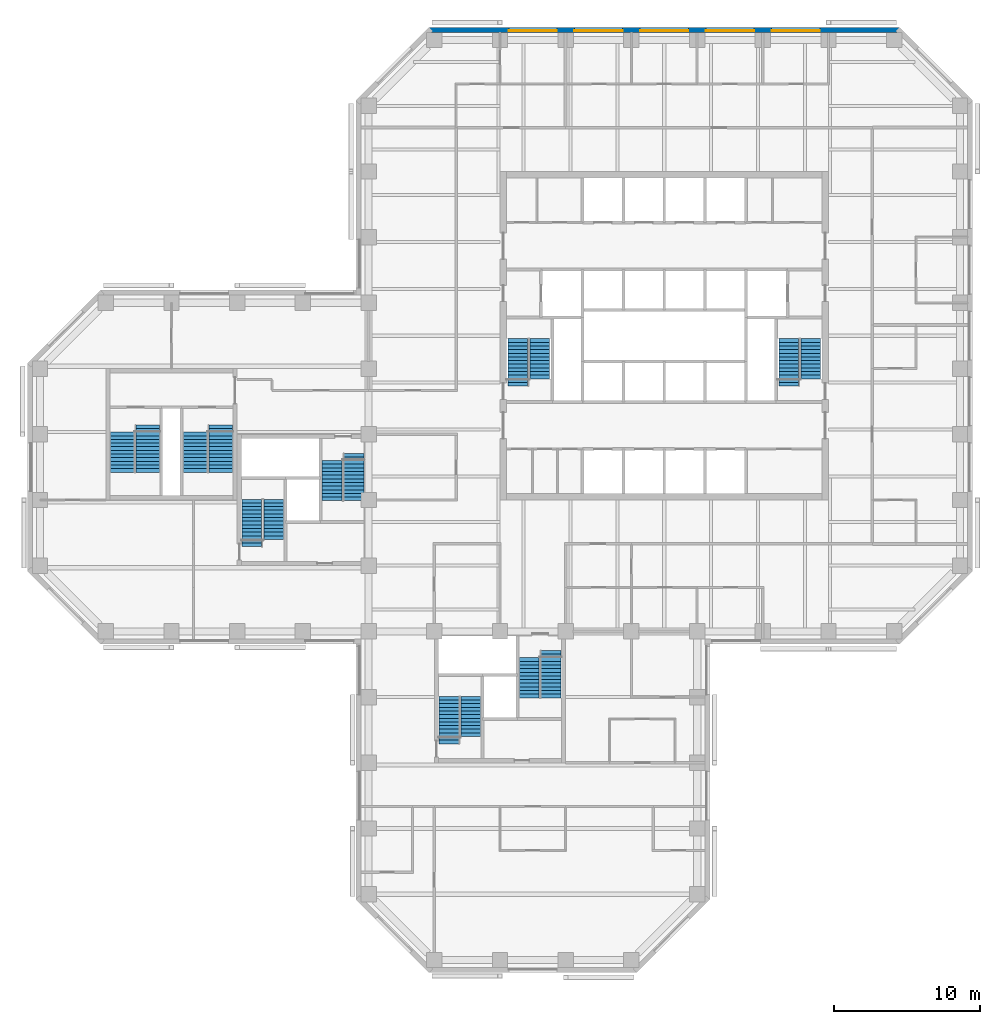
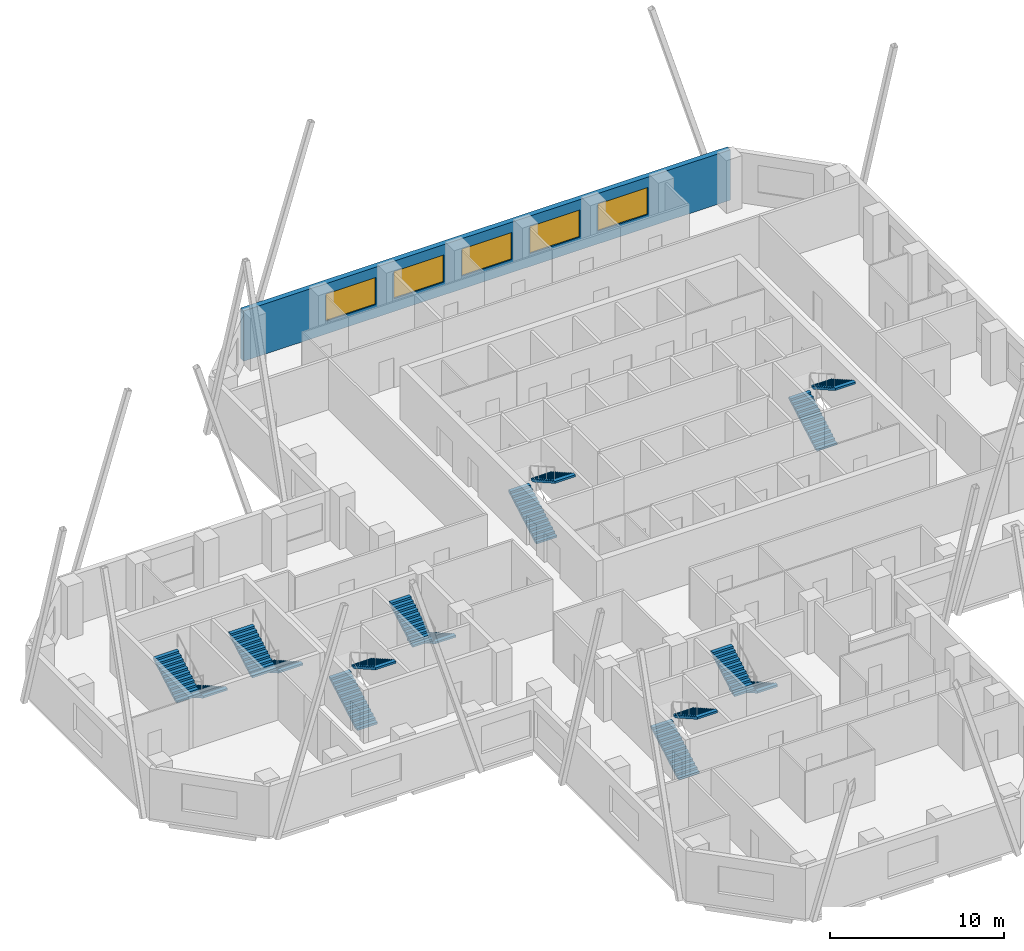
# One storey, part 9 of 10: 16 stair flights, 5 windows, 1 wall, 5 openings, 8 elements without a shape of their own.
"""IFC4 building model written with IfcOpenShell, lengths in metres."""

import ifcopenshell
import ifcopenshell.guid

model = None  # the IFC model being written
_history = None  # IfcOwnerHistory: only IFC2X3 demands one
_inside = {}  # id of a spatial element -> (the spatial element, [elements in it])
_under = {}  # id of a project, library or spatial element -> (it, [spatial elements below it])
_declared = {}  # id of a project -> (the project, [libraries it declares])
_typed = {}  # id of a type object -> (the type object, [elements of that type])
_made_of = {}  # id of a material, layer set ... -> (it, [elements and type objects made of it])


def new_model(schema):
    """Start an empty IFC model of exactly this schema.

    Asked for "IFC4X3", IfcOpenShell would pick the latest addendum, in which some entities
    have other attributes; the version numbers below select the first issue.
    IFC2X3 requires an IfcOwnerHistory on every rooted entity: one is made here for all.
    """
    global model, _history
    if schema == "IFC4X3":
        model = ifcopenshell.file(schema_version=(4, 3, 0, 0))
    else:
        model = ifcopenshell.file(schema=schema)
    _inside.clear()
    _under.clear()
    _declared.clear()
    _typed.clear()
    _made_of.clear()
    _history = None
    if model.schema == "IFC2X3":
        org = make("IfcOrganization", Name="unknown")
        user = make(
            "IfcPersonAndOrganization",
            ThePerson=make("IfcPerson", FamilyName="unknown"),
            TheOrganization=org,
        )
        app = make(
            "IfcApplication",
            ApplicationDeveloper=org,
            Version="unknown",
            ApplicationFullName="unknown",
            ApplicationIdentifier="unknown",
        )
        _history = make(
            "IfcOwnerHistory",
            OwningUser=user,
            OwningApplication=app,
            ChangeAction="ADDED",
            CreationDate=0,
        )
    return model


def make(cls, **values):
    """One entity of the class cls with the attributes given. An attribute that is None is left unset."""
    return model.create_entity(
        cls, **{name: value for name, value in values.items() if value is not None}
    )


def rooted(cls, **values):
    """An entity with a GlobalId (a new one), such as an element, a storey or a relation."""
    return make(cls, GlobalId=ifcopenshell.guid.new(), OwnerHistory=_history, **values)


def si_unit(unit_type, name, prefix=None):
    """IfcSIUnit, for example si_unit("LENGTHUNIT", "METRE", prefix="MILLI")."""
    return make("IfcSIUnit", UnitType=unit_type, Prefix=prefix, Name=name)


def assignment(units):
    """IfcUnitAssignment: the units of a project."""
    return None if units is None else make("IfcUnitAssignment", Units=units)


def point(xyz):
    """IfcCartesianPoint."""
    return None if xyz is None else make("IfcCartesianPoint", Coordinates=xyz)


def direction(xyz):
    """IfcDirection."""
    return None if xyz is None else make("IfcDirection", DirectionRatios=xyz)


def frame(location, z_axis=None, x_axis=None):
    """IfcAxis2Placement3D, a coordinate frame: its origin and axes. An axis left out is left unset."""
    return make(
        "IfcAxis2Placement3D",
        Location=point(location),
        Axis=direction(z_axis),
        RefDirection=direction(x_axis),
    )


def frame_2d(location, x_axis=None):
    """IfcAxis2Placement2D, a coordinate frame in the plane: its origin and x axis."""
    return make(
        "IfcAxis2Placement2D", Location=point(location), RefDirection=direction(x_axis)
    )


def origin():
    """The frame at (0, 0, 0) with its axes left unset."""
    return frame((0.0, 0.0, 0.0))


def place(relative_to, where):
    """IfcLocalPlacement: puts the frame where relative to a parent placement (None: the world)."""
    return make(
        "IfcLocalPlacement", PlacementRelTo=relative_to, RelativePlacement=where
    )


def context(
    kind, dimensions, precision=None, world=None, true_north=None, identifier=None
):
    """IfcGeometricRepresentationContext, for example the 3D "Model" context."""
    return make(
        "IfcGeometricRepresentationContext",
        ContextIdentifier=identifier,
        ContextType=kind,
        CoordinateSpaceDimension=dimensions,
        Precision=precision,
        WorldCoordinateSystem=world,
        TrueNorth=true_north,
    )


def subcontext(parent, identifier, kind, view, scale=None):
    """IfcGeometricRepresentationSubContext, for example "Body" below "Model"."""
    return make(
        "IfcGeometricRepresentationSubContext",
        ContextIdentifier=identifier,
        ContextType=kind,
        ParentContext=parent,
        TargetScale=scale,
        TargetView=view,
    )


def project(units=None, contexts=None):
    """IfcProject with its units and contexts."""
    return rooted(
        "IfcProject",
        Name="project",
        RepresentationContexts=contexts,
        UnitsInContext=assignment(units),
    )


def spatial(cls, under=None, at=None, **own):
    """A site, building, storey or space (cls), placed at a placement, below another one or the project."""
    s = rooted(cls, ObjectPlacement=at, **own)
    if under is not None:
        _under.setdefault(under.id(), (under, []))[1].append(s)
    return s


def polyline(points):
    """IfcPolyline through the points."""
    return make("IfcPolyline", Points=[point(p) for p in points])


def profile(cls, at=None, kind="AREA", **sizes):
    """A parametric profile (cls). Its sizes go by their IFC names, for example OverallWidth=200.0."""
    return make(cls, ProfileType=kind, Position=at, **sizes)


def rectangle(**sizes):
    """IfcRectangleProfileDef."""
    return profile("IfcRectangleProfileDef", **sizes)


def outline(outer, holes=None, kind="AREA"):
    """IfcArbitraryClosedProfileDef: a profile drawn as a closed curve; with holes, ...WithVoids."""
    if holes is None:
        return make("IfcArbitraryClosedProfileDef", ProfileType=kind, OuterCurve=outer)
    return make(
        "IfcArbitraryProfileDefWithVoids",
        ProfileType=kind,
        OuterCurve=outer,
        InnerCurves=holes,
    )


def extrude(swept, where, along, depth):
    """IfcExtrudedAreaSolid: the profile swept, set in the frame where, extruded along a direction by depth."""
    return make(
        "IfcExtrudedAreaSolid",
        SweptArea=swept,
        Position=where,
        ExtrudedDirection=direction(along),
        Depth=depth,
    )


def shape(context_of_items, identifier, shape_type, items):
    """IfcShapeRepresentation: the items that make up one representation, for example the "Body"."""
    return make(
        "IfcShapeRepresentation",
        ContextOfItems=context_of_items,
        RepresentationIdentifier=identifier,
        RepresentationType=shape_type,
        Items=items,
    )


def material(Name=None, Category=None):
    """IfcMaterial."""
    return make("IfcMaterial", Name=Name, Category=Category)


def layer(
    of_material, thickness, ventilated=None, Name=None, Category=None, Priority=None
):
    """IfcMaterialLayer: one layer of a wall or slab, of a material (None: an air gap)."""
    return make(
        "IfcMaterialLayer",
        Material=of_material,
        LayerThickness=thickness,
        IsVentilated=ventilated,
        Name=Name,
        Category=Category,
        Priority=Priority,
    )


def layer_set(layers, Name=None):
    """IfcMaterialLayerSet."""
    return make("IfcMaterialLayerSet", MaterialLayers=layers, LayerSetName=Name)


def constituent(of_material, Name=None, Category=None, fraction=None):
    """IfcMaterialConstituent: one of the materials an element consists of."""
    return make(
        "IfcMaterialConstituent",
        Name=Name,
        Material=of_material,
        Fraction=fraction,
        Category=Category,
    )


def constituent_set(constituents=None, Name=None):
    """IfcMaterialConstituentSet."""
    return make(
        "IfcMaterialConstituentSet", Name=Name, MaterialConstituents=constituents
    )


def made_of(thing, what):
    """Note that an element or type object is made of a material, layer set ...; save() writes the relation."""
    if what is not None:
        _made_of.setdefault(what.id(), (what, []))[1].append(thing)
    return thing


def type_object(cls, material=None, **own):
    """A type object (cls), such as IfcWallType, which elements share."""
    return made_of(rooted(cls, **own), material)


def element(
    cls,
    number,
    at=None,
    inside=None,
    cuts=None,
    type_object=None,
    material=None,
    context=None,
    identifier="Body",
    shape_type=None,
    held_by="IfcProductDefinitionShape",
    body=None,
    shapes=None,
    **own,
):
    """One element of the class cls, such as IfcWall. Its Tag is "e" and its number.

    at: its placement. inside: the storey or other place that contains it. cuts: it is an
    opening in that element (IfcRelVoidsElement). A single representation is given by context,
    identifier, shape_type and body (its items); several are given by shapes. held_by: the class
    of the entity that holds the representations. save() writes the other relations.
    """
    e = rooted(cls, Tag="e%d" % number, ObjectPlacement=at, **own)
    if body is not None:
        shapes = [shape(context, identifier, shape_type, body)]
    if shapes is not None:
        e.Representation = make(held_by, Representations=shapes)
    if inside is not None:
        _inside.setdefault(inside.id(), (inside, []))[1].append(e)
    if cuts is not None:
        rooted(
            "IfcRelVoidsElement", RelatingBuildingElement=cuts, RelatedOpeningElement=e
        )
    if type_object is not None:
        _typed.setdefault(type_object.id(), (type_object, []))[1].append(e)
    return made_of(e, material)


def fill(opening, filler):
    """IfcRelFillsElement: the door or window that sits in an opening."""
    return rooted(
        "IfcRelFillsElement",
        RelatingOpeningElement=opening,
        RelatedBuildingElement=filler,
    )


def aggregate(whole, parts):
    """IfcRelAggregates: a whole, such as a stair, and the parts it consists of."""
    return rooted("IfcRelAggregates", RelatingObject=whole, RelatedObjects=parts)


def save(model, path):
    """Write the relations noted so far, then the file.

    IfcRelAggregates (storeys below a building ...), IfcRelContainedInSpatialStructure (elements
    in a storey), IfcRelDefinesByType, IfcRelAssociatesMaterial and IfcRelDeclares: one each for
    every whole, place, type object, material and project.
    """
    for whole, parts in _under.values():
        aggregate(whole, parts)
    for where, things in _inside.values():
        rooted(
            "IfcRelContainedInSpatialStructure",
            RelatedElements=things,
            RelatingStructure=where,
        )
    for kind, things in _typed.values():
        rooted("IfcRelDefinesByType", RelatedObjects=things, RelatingType=kind)
    for what, things in _made_of.values():
        rooted("IfcRelAssociatesMaterial", RelatedObjects=things, RelatingMaterial=what)
    for by, libraries in _declared.values():
        rooted("IfcRelDeclares", RelatingContext=by, RelatedDefinitions=libraries)
    model.write(path)


model = new_model("IFC4")

# Units and contexts
model_context = context("Model", 3, precision=1e-05, world=origin(), true_north=direction((0.0, 1.0)))
body_context = subcontext(model_context, "Body", "Model", "MODEL_VIEW")
ifc_project = project(units=[si_unit("LENGTHUNIT", "METRE"), si_unit("AREAUNIT", "SQUARE_METRE"), si_unit("VOLUMEUNIT", "CUBIC_METRE"), si_unit("PLANEANGLEUNIT", "RADIAN"), si_unit("MASSUNIT", "GRAM", prefix="KILO")], contexts=[model_context])

# Site, building, storey
site_placement = place(None, origin())
site = spatial("IfcSite", under=ifc_project, at=site_placement, CompositionType="ELEMENT")
building_placement = place(site_placement, origin())
building = spatial("IfcBuilding", under=site, at=building_placement, Name="Quoin Convention Tower", CompositionType="ELEMENT")
storey_placement = place(building_placement, frame((0.0, 0.0, 97.39990234375)))
storey = spatial("IfcBuildingStorey", under=building, at=storey_placement, Name="L25", CompositionType="ELEMENT", Elevation=97.39990234375)

# Wall, openings, windows
ifc_material_1 = material(Name="Brick masonry", Category="masonry")
ifc_layer = layer(ifc_material_1, 0.35009765625)
ifc_layer_set = layer_set([ifc_layer], Name="Brick masonry")
wall_type = type_object("IfcWallType", Name="Brick facade wall", PredefinedType="STANDARD", material=ifc_layer_set)
wall_placement = place(storey_placement, frame((72.3623046875, 81.699951171875, 0.0), z_axis=(0.0, 0.0, 1.0), x_axis=(-1.0, 0.0, 0.0)))
wall = element("IfcWall", 1, at=wall_placement, inside=storey, type_object=wall_type, Name="fw-L25-72000_81000", PredefinedType="STANDARD", context=body_context, shape_type="SweptSolid", body=[
    extrude(rectangle(XDim=32.224609375, YDim=0.35009765625, at=frame_2d((16.1123046875, 0.0))), origin(), (0.0, 0.0, 1.0), 3.525146484375),
])
opening_1_placement = place(wall_placement, frame((5.46240234375, 0.0, 0.89990234375)))
opening_1 = element("IfcOpeningElement", 2, at=opening_1_placement, cuts=wall, Name="Opening W-02", PredefinedType="OPENING", context=body_context, shape_type="SweptSolid", body=[
    extrude(rectangle(XDim=3.300048828125, YDim=1.89990234375, at=frame_2d((1.64990234375, 0.949951171875))), frame((0.0, 0.18505859375, 0.0), z_axis=(0.0, -1.0, 0.0), x_axis=(1.0, 0.0, 0.0)), (0.0, 0.0, 1.0), 0.3701171875),
])
opening_2_placement = place(wall_placement, frame((9.96240234375, 0.0, 0.89990234375)))
opening_2 = element("IfcOpeningElement", 3, at=opening_2_placement, cuts=wall, Name="Opening W-02", PredefinedType="OPENING", context=body_context, shape_type="SweptSolid", body=[
    extrude(rectangle(XDim=3.300048828125, YDim=1.89990234375, at=frame_2d((1.64990234375, 0.949951171875))), frame((0.0, 0.18505859375, 0.0), z_axis=(0.0, -1.0, 0.0), x_axis=(1.0, 0.0, 0.0)), (0.0, 0.0, 1.0), 0.3701171875),
])
opening_3_placement = place(wall_placement, frame((14.46240234375, 0.0, 0.89990234375)))
opening_3 = element("IfcOpeningElement", 4, at=opening_3_placement, cuts=wall, Name="Opening W-02", PredefinedType="OPENING", context=body_context, shape_type="SweptSolid", body=[
    extrude(rectangle(XDim=3.300048828125, YDim=1.89990234375, at=frame_2d((1.64990234375, 0.949951171875))), frame((0.0, 0.18505859375, 0.0), z_axis=(0.0, -1.0, 0.0), x_axis=(1.0, 0.0, 0.0)), (0.0, 0.0, 1.0), 0.3701171875),
])
opening_4_placement = place(wall_placement, frame((18.96240234375, 0.0, 0.89990234375)))
opening_4 = element("IfcOpeningElement", 5, at=opening_4_placement, cuts=wall, Name="Opening W-02", PredefinedType="OPENING", context=body_context, shape_type="SweptSolid", body=[
    extrude(rectangle(XDim=3.300048828125, YDim=1.89990234375, at=frame_2d((1.64990234375, 0.949951171875))), frame((0.0, 0.18505859375, 0.0), z_axis=(0.0, -1.0, 0.0), x_axis=(1.0, 0.0, 0.0)), (0.0, 0.0, 1.0), 0.3701171875),
])
opening_5_placement = place(wall_placement, frame((23.46240234375, 0.0, 0.89990234375)))
opening_5 = element("IfcOpeningElement", 6, at=opening_5_placement, cuts=wall, Name="Opening W-02", PredefinedType="OPENING", context=body_context, shape_type="SweptSolid", body=[
    extrude(rectangle(XDim=3.300048828125, YDim=1.89990234375, at=frame_2d((1.64990234375, 0.949951171875))), frame((0.0, 0.18505859375, 0.0), z_axis=(0.0, -1.0, 0.0), x_axis=(1.0, 0.0, 0.0)), (0.0, 0.0, 1.0), 0.3701171875),
])
ifc_material_2 = material(Name="Aluminium", Category="aluminium")
ifc_constituent_1 = constituent(ifc_material_2, Name="Frame")
ifc_material_3 = material(Name="Insulated glass", Category="glass")
ifc_constituent_2 = constituent(ifc_material_3, Name="Glazing")
ifc_constituent_set = constituent_set(constituents=[ifc_constituent_1, ifc_constituent_2], Name="Aluminium")
window_type = type_object("IfcWindowType", Name="Office window", PartitioningType="DOUBLE_PANEL_VERTICAL", PredefinedType="WINDOW", material=ifc_constituent_set)
window_1_placement = place(opening_1_placement, origin())
window_1 = element("IfcWindow", 7, at=window_1_placement, inside=storey, type_object=window_type, Name="win-L25-65250_81700", OverallHeight=1.89990234375, OverallWidth=3.300048828125, PartitioningType="SINGLE_PANEL", PredefinedType="WINDOW", context=body_context, shape_type="SweptSolid", body=[
    extrude(rectangle(XDim=3.300048828125, YDim=1.89990234375, at=frame_2d((1.64990234375, 0.949951171875))), frame((0.0, 0.0849609375, 0.0), z_axis=(0.0, -1.0, 0.0), x_axis=(1.0, 0.0, 0.0)), (0.0, 0.0, 1.0), 0.06005859375),
])
fill(opening_1, window_1)
window_2_placement = place(opening_2_placement, origin())
window_2 = element("IfcWindow", 8, at=window_2_placement, inside=storey, type_object=window_type, Name="win-L25-60750_81700", OverallHeight=1.89990234375, OverallWidth=3.300048828125, PartitioningType="SINGLE_PANEL", PredefinedType="WINDOW", context=body_context, shape_type="SweptSolid", body=[
    extrude(rectangle(XDim=3.300048828125, YDim=1.89990234375, at=frame_2d((1.64990234375, 0.949951171875))), frame((0.0, 0.0849609375, 0.0), z_axis=(0.0, -1.0, 0.0), x_axis=(1.0, 0.0, 0.0)), (0.0, 0.0, 1.0), 0.06005859375),
])
fill(opening_2, window_2)
window_3_placement = place(opening_3_placement, origin())
window_3 = element("IfcWindow", 9, at=window_3_placement, inside=storey, type_object=window_type, Name="win-L25-56250_81700", OverallHeight=1.89990234375, OverallWidth=3.300048828125, PartitioningType="SINGLE_PANEL", PredefinedType="WINDOW", context=body_context, shape_type="SweptSolid", body=[
    extrude(rectangle(XDim=3.300048828125, YDim=1.89990234375, at=frame_2d((1.64990234375, 0.949951171875))), frame((0.0, 0.0849609375, 0.0), z_axis=(0.0, -1.0, 0.0), x_axis=(1.0, 0.0, 0.0)), (0.0, 0.0, 1.0), 0.06005859375),
])
fill(opening_3, window_3)
window_4_placement = place(opening_4_placement, origin())
window_4 = element("IfcWindow", 10, at=window_4_placement, inside=storey, type_object=window_type, Name="win-L25-51750_81700", OverallHeight=1.89990234375, OverallWidth=3.300048828125, PartitioningType="SINGLE_PANEL", PredefinedType="WINDOW", context=body_context, shape_type="SweptSolid", body=[
    extrude(rectangle(XDim=3.300048828125, YDim=1.89990234375, at=frame_2d((1.64990234375, 0.949951171875))), frame((0.0, 0.0849609375, 0.0), z_axis=(0.0, -1.0, 0.0), x_axis=(1.0, 0.0, 0.0)), (0.0, 0.0, 1.0), 0.06005859375),
])
fill(opening_4, window_4)
window_5_placement = place(opening_5_placement, origin())
window_5 = element("IfcWindow", 11, at=window_5_placement, inside=storey, type_object=window_type, Name="win-L25-47250_81700", OverallHeight=1.89990234375, OverallWidth=3.300048828125, PartitioningType="SINGLE_PANEL", PredefinedType="WINDOW", context=body_context, shape_type="SweptSolid", body=[
    extrude(rectangle(XDim=3.300048828125, YDim=1.89990234375, at=frame_2d((1.64990234375, 0.949951171875))), frame((0.0, 0.0849609375, 0.0), z_axis=(0.0, -1.0, 0.0), x_axis=(1.0, 0.0, 0.0)), (0.0, 0.0, 1.0), 0.06005859375),
])
fill(opening_5, window_5)

# Stair, stair flights
ifc_material_4 = material(Name="Concrete C40", Category="concrete")
stair_type_1 = type_object("IfcStairType", Name="Exit stair two-flight 1350", PredefinedType="HALF_TURN_STAIR", material=ifc_material_4)
stair_1_placement = place(storey_placement, origin())
stair_1 = element("IfcStair", 12, at=stair_1_placement, inside=storey, type_object=stair_type_1, Name="SD1 L25", PredefinedType="HALF_TURN_STAIR")
stair_flight_type_1 = type_object("IfcStairFlightType", Name="Stair flight 1350", PredefinedType="STRAIGHT", material=ifc_material_4)
stair_flight_1_placement = place(storey_placement, frame((46.22509765625, 57.300048828125, 0.0), z_axis=(0.0, 0.0, 1.0), x_axis=(0.0, 1.0, 0.0)))
stair_flight_1 = element("IfcStairFlight", 13, at=stair_flight_1_placement, type_object=stair_flight_type_1, Name="ST1 flight 1", NumberOfRisers=14, NumberOfTreads=13, PredefinedType="STRAIGHT", RiserHeight=0.142307692, TreadLength=0.25, context=body_context, shape_type="SweptSolid", body=[
    extrude(outline(polyline([(0.0, 0.0), (0.0, 0.142333984375), (0.25, 0.142333984375), (0.25, 0.28466796875), (0.5, 0.28466796875), (0.5, 0.427001953125), (0.75, 0.427001953125), (0.75, 0.5693359375), (1.0, 0.5693359375), (1.0, 0.71142578125), (1.25, 0.71142578125), (1.25, 0.853759765625), (1.5, 0.853759765625), (1.5, 0.99609375), (1.75, 0.99609375), (1.75, 1.138427734375), (2.0, 1.138427734375), (2.0, 1.28076171875), (2.25, 1.28076171875), (2.25, 1.423095703125), (2.5, 1.423095703125), (2.5, 1.5654296875), (2.75, 1.5654296875), (2.75, 1.707763671875), (3.0, 1.707763671875), (3.0, 1.85009765625), (3.25, 1.85009765625), (3.25, 1.9921875), (3.25, 1.711669921875), (0.242919921875, 0.0), (0.0, 0.0)])), frame((0.0, 0.675048828125, 0.0), z_axis=(0.0, -1.0, 0.0), x_axis=(1.0, 0.0, 0.0)), (0.0, 0.0, 1.0), 1.35009765625),
])
stair_flight_2_placement = place(storey_placement, frame((47.72509765625, 60.550048828125, 1.992431640625), z_axis=(0.0, 0.0, 1.0), x_axis=(0.0, -1.0, 0.0)))
stair_flight_2 = element("IfcStairFlight", 14, at=stair_flight_2_placement, type_object=stair_flight_type_1, Name="ST1 flight 2", NumberOfRisers=12, NumberOfTreads=11, PredefinedType="STRAIGHT", RiserHeight=0.142307692, TreadLength=0.25, context=body_context, shape_type="SweptSolid", body=[
    extrude(outline(polyline([(0.0, 0.0), (0.0, 0.142333984375), (0.25, 0.142333984375), (0.25, 0.28466796875), (0.5, 0.28466796875), (0.5, 0.427001953125), (0.75, 0.427001953125), (0.75, 0.5693359375), (1.0, 0.5693359375), (1.0, 0.71142578125), (1.25, 0.71142578125), (1.25, 0.853759765625), (1.5, 0.853759765625), (1.5, 0.99609375), (1.75, 0.99609375), (1.75, 1.138427734375), (2.0, 1.138427734375), (2.0, 1.28076171875), (2.25, 1.28076171875), (2.25, 1.423095703125), (2.5, 1.423095703125), (2.5, 1.5654296875), (2.75, 1.5654296875), (2.75, 1.707763671875), (2.75, 1.42724609375), (0.242919921875, 0.0), (0.0, 0.0)])), frame((0.0, 0.675048828125, 0.0), z_axis=(0.0, -1.0, 0.0), x_axis=(1.0, 0.0, 0.0)), (0.0, 0.0, 1.0), 1.35009765625),
])
aggregate(stair_1, [stair_flight_1, stair_flight_2])

stair_2_placement = place(storey_placement, origin())
stair_2 = element("IfcStair", 15, at=stair_2_placement, inside=storey, type_object=stair_type_1, Name="SD2 L25", PredefinedType="HALF_TURN_STAIR")
stair_flight_3_placement = place(storey_placement, frame((64.77490234375, 57.300048828125, 0.0), z_axis=(0.0, 0.0, 1.0), x_axis=(0.0, 1.0, 0.0)))
stair_flight_3 = element("IfcStairFlight", 16, at=stair_flight_3_placement, type_object=stair_flight_type_1, Name="ST2 flight 1", NumberOfRisers=14, NumberOfTreads=13, PredefinedType="STRAIGHT", RiserHeight=0.142307692, TreadLength=0.25, context=body_context, shape_type="SweptSolid", body=[
    extrude(outline(polyline([(0.0, 0.0), (0.0, 0.142333984375), (0.25, 0.142333984375), (0.25, 0.28466796875), (0.5, 0.28466796875), (0.5, 0.427001953125), (0.75, 0.427001953125), (0.75, 0.5693359375), (1.0, 0.5693359375), (1.0, 0.71142578125), (1.25, 0.71142578125), (1.25, 0.853759765625), (1.5, 0.853759765625), (1.5, 0.99609375), (1.75, 0.99609375), (1.75, 1.138427734375), (2.0, 1.138427734375), (2.0, 1.28076171875), (2.25, 1.28076171875), (2.25, 1.423095703125), (2.5, 1.423095703125), (2.5, 1.5654296875), (2.75, 1.5654296875), (2.75, 1.707763671875), (3.0, 1.707763671875), (3.0, 1.85009765625), (3.25, 1.85009765625), (3.25, 1.9921875), (3.25, 1.711669921875), (0.242919921875, 0.0), (0.0, 0.0)])), frame((0.0, 0.675048828125, 0.0), z_axis=(0.0, -1.0, 0.0), x_axis=(1.0, 0.0, 0.0)), (0.0, 0.0, 1.0), 1.35009765625),
])
stair_flight_4_placement = place(storey_placement, frame((66.27490234375, 60.550048828125, 1.992431640625), z_axis=(0.0, 0.0, 1.0), x_axis=(0.0, -1.0, 0.0)))
stair_flight_4 = element("IfcStairFlight", 17, at=stair_flight_4_placement, type_object=stair_flight_type_1, Name="ST2 flight 2", NumberOfRisers=12, NumberOfTreads=11, PredefinedType="STRAIGHT", RiserHeight=0.142307692, TreadLength=0.25, context=body_context, shape_type="SweptSolid", body=[
    extrude(outline(polyline([(0.0, 0.0), (0.0, 0.142333984375), (0.25, 0.142333984375), (0.25, 0.28466796875), (0.5, 0.28466796875), (0.5, 0.427001953125), (0.75, 0.427001953125), (0.75, 0.5693359375), (1.0, 0.5693359375), (1.0, 0.71142578125), (1.25, 0.71142578125), (1.25, 0.853759765625), (1.5, 0.853759765625), (1.5, 0.99609375), (1.75, 0.99609375), (1.75, 1.138427734375), (2.0, 1.138427734375), (2.0, 1.28076171875), (2.25, 1.28076171875), (2.25, 1.423095703125), (2.5, 1.423095703125), (2.5, 1.5654296875), (2.75, 1.5654296875), (2.75, 1.707763671875), (2.75, 1.42724609375), (0.242919921875, 0.0), (0.0, 0.0)])), frame((0.0, 0.675048828125, 0.0), z_axis=(0.0, -1.0, 0.0), x_axis=(1.0, 0.0, 0.0)), (0.0, 0.0, 1.0), 1.35009765625),
])
aggregate(stair_2, [stair_flight_3, stair_flight_4])

stair_3_placement = place(storey_placement, origin())
stair_3 = element("IfcStair", 18, at=stair_3_placement, inside=storey, type_object=stair_type_1, Name="SD3 L25", PredefinedType="HALF_TURN_STAIR")
stair_flight_5_placement = place(storey_placement, frame((28.0, 46.300048828125, 0.0), z_axis=(0.0, 0.0, 1.0), x_axis=(0.0, 1.0, 0.0)))
stair_flight_5 = element("IfcStairFlight", 19, at=stair_flight_5_placement, type_object=stair_flight_type_1, Name="ST3 flight 1", NumberOfRisers=14, NumberOfTreads=13, PredefinedType="STRAIGHT", RiserHeight=0.142307692, TreadLength=0.25, context=body_context, shape_type="SweptSolid", body=[
    extrude(outline(polyline([(0.0, 0.0), (0.0, 0.142333984375), (0.25, 0.142333984375), (0.25, 0.28466796875), (0.5, 0.28466796875), (0.5, 0.427001953125), (0.75, 0.427001953125), (0.75, 0.5693359375), (1.0, 0.5693359375), (1.0, 0.71142578125), (1.25, 0.71142578125), (1.25, 0.853759765625), (1.5, 0.853759765625), (1.5, 0.99609375), (1.75, 0.99609375), (1.75, 1.138427734375), (2.0, 1.138427734375), (2.0, 1.28076171875), (2.25, 1.28076171875), (2.25, 1.423095703125), (2.5, 1.423095703125), (2.5, 1.5654296875), (2.75, 1.5654296875), (2.75, 1.707763671875), (3.0, 1.707763671875), (3.0, 1.85009765625), (3.25, 1.85009765625), (3.25, 1.9921875), (3.25, 1.711669921875), (0.242919921875, 0.0), (0.0, 0.0)])), frame((0.0, 0.675048828125, 0.0), z_axis=(0.0, -1.0, 0.0), x_axis=(1.0, 0.0, 0.0)), (0.0, 0.0, 1.0), 1.35009765625),
])
stair_flight_6_placement = place(storey_placement, frame((29.5, 49.550048828125, 1.992431640625), z_axis=(0.0, 0.0, 1.0), x_axis=(0.0, -1.0, 0.0)))
stair_flight_6 = element("IfcStairFlight", 20, at=stair_flight_6_placement, type_object=stair_flight_type_1, Name="ST3 flight 2", NumberOfRisers=12, NumberOfTreads=11, PredefinedType="STRAIGHT", RiserHeight=0.142307692, TreadLength=0.25, context=body_context, shape_type="SweptSolid", body=[
    extrude(outline(polyline([(0.0, 0.0), (0.0, 0.142333984375), (0.25, 0.142333984375), (0.25, 0.28466796875), (0.5, 0.28466796875), (0.5, 0.427001953125), (0.75, 0.427001953125), (0.75, 0.5693359375), (1.0, 0.5693359375), (1.0, 0.71142578125), (1.25, 0.71142578125), (1.25, 0.853759765625), (1.5, 0.853759765625), (1.5, 0.99609375), (1.75, 0.99609375), (1.75, 1.138427734375), (2.0, 1.138427734375), (2.0, 1.28076171875), (2.25, 1.28076171875), (2.25, 1.423095703125), (2.5, 1.423095703125), (2.5, 1.5654296875), (2.75, 1.5654296875), (2.75, 1.707763671875), (2.75, 1.42724609375), (0.242919921875, 0.0), (0.0, 0.0)])), frame((0.0, 0.675048828125, 0.0), z_axis=(0.0, -1.0, 0.0), x_axis=(1.0, 0.0, 0.0)), (0.0, 0.0, 1.0), 1.35009765625),
])
aggregate(stair_3, [stair_flight_5, stair_flight_6])

stair_4_placement = place(storey_placement, origin())
stair_4 = element("IfcStair", 21, at=stair_4_placement, inside=storey, type_object=stair_type_1, Name="SD4 L25", PredefinedType="HALF_TURN_STAIR")
stair_flight_7_placement = place(storey_placement, frame((35.0, 52.699951171875, 0.0), z_axis=(0.0, 0.0, 1.0), x_axis=(0.0, -1.0, 0.0)))
stair_flight_7 = element("IfcStairFlight", 22, at=stair_flight_7_placement, type_object=stair_flight_type_1, Name="ST4 flight 1", NumberOfRisers=14, NumberOfTreads=13, PredefinedType="STRAIGHT", RiserHeight=0.142307692, TreadLength=0.25, context=body_context, shape_type="SweptSolid", body=[
    extrude(outline(polyline([(0.0, 0.0), (0.0, 0.142333984375), (0.25, 0.142333984375), (0.25, 0.28466796875), (0.5, 0.28466796875), (0.5, 0.427001953125), (0.75, 0.427001953125), (0.75, 0.5693359375), (1.0, 0.5693359375), (1.0, 0.71142578125), (1.25, 0.71142578125), (1.25, 0.853759765625), (1.5, 0.853759765625), (1.5, 0.99609375), (1.75, 0.99609375), (1.75, 1.138427734375), (2.0, 1.138427734375), (2.0, 1.28076171875), (2.25, 1.28076171875), (2.25, 1.423095703125), (2.5, 1.423095703125), (2.5, 1.5654296875), (2.75, 1.5654296875), (2.75, 1.707763671875), (3.0, 1.707763671875), (3.0, 1.85009765625), (3.25, 1.85009765625), (3.25, 1.9921875), (3.25, 1.711669921875), (0.242919921875, 0.0), (0.0, 0.0)])), frame((0.0, 0.675048828125, 0.0), z_axis=(0.0, -1.0, 0.0), x_axis=(1.0, 0.0, 0.0)), (0.0, 0.0, 1.0), 1.35009765625),
])
stair_flight_8_placement = place(storey_placement, frame((33.5, 49.449951171875, 1.992431640625), z_axis=(0.0, 0.0, 1.0), x_axis=(0.0, 1.0, 0.0)))
stair_flight_8 = element("IfcStairFlight", 23, at=stair_flight_8_placement, type_object=stair_flight_type_1, Name="ST4 flight 2", NumberOfRisers=12, NumberOfTreads=11, PredefinedType="STRAIGHT", RiserHeight=0.142307692, TreadLength=0.25, context=body_context, shape_type="SweptSolid", body=[
    extrude(outline(polyline([(0.0, 0.0), (0.0, 0.142333984375), (0.25, 0.142333984375), (0.25, 0.28466796875), (0.5, 0.28466796875), (0.5, 0.427001953125), (0.75, 0.427001953125), (0.75, 0.5693359375), (1.0, 0.5693359375), (1.0, 0.71142578125), (1.25, 0.71142578125), (1.25, 0.853759765625), (1.5, 0.853759765625), (1.5, 0.99609375), (1.75, 0.99609375), (1.75, 1.138427734375), (2.0, 1.138427734375), (2.0, 1.28076171875), (2.25, 1.28076171875), (2.25, 1.423095703125), (2.5, 1.423095703125), (2.5, 1.5654296875), (2.75, 1.5654296875), (2.75, 1.707763671875), (2.75, 1.42724609375), (0.242919921875, 0.0), (0.0, 0.0)])), frame((0.0, 0.675048828125, 0.0), z_axis=(0.0, -1.0, 0.0), x_axis=(1.0, 0.0, 0.0)), (0.0, 0.0, 1.0), 1.35009765625),
])
aggregate(stair_4, [stair_flight_7, stair_flight_8])

stair_5_placement = place(storey_placement, origin())
stair_5 = element("IfcStair", 24, at=stair_5_placement, inside=storey, type_object=stair_type_1, Name="SD5 L25", PredefinedType="HALF_TURN_STAIR")
stair_flight_9_placement = place(storey_placement, frame((41.5, 32.800048828125, 0.0), z_axis=(0.0, 0.0, 1.0), x_axis=(0.0, 1.0, 0.0)))
stair_flight_9 = element("IfcStairFlight", 25, at=stair_flight_9_placement, type_object=stair_flight_type_1, Name="ST5 flight 1", NumberOfRisers=14, NumberOfTreads=13, PredefinedType="STRAIGHT", RiserHeight=0.142307692, TreadLength=0.25, context=body_context, shape_type="SweptSolid", body=[
    extrude(outline(polyline([(0.0, 0.0), (0.0, 0.142333984375), (0.25, 0.142333984375), (0.25, 0.28466796875), (0.5, 0.28466796875), (0.5, 0.427001953125), (0.75, 0.427001953125), (0.75, 0.5693359375), (1.0, 0.5693359375), (1.0, 0.71142578125), (1.25, 0.71142578125), (1.25, 0.853759765625), (1.5, 0.853759765625), (1.5, 0.99609375), (1.75, 0.99609375), (1.75, 1.138427734375), (2.0, 1.138427734375), (2.0, 1.28076171875), (2.25, 1.28076171875), (2.25, 1.423095703125), (2.5, 1.423095703125), (2.5, 1.5654296875), (2.75, 1.5654296875), (2.75, 1.707763671875), (3.0, 1.707763671875), (3.0, 1.85009765625), (3.25, 1.85009765625), (3.25, 1.9921875), (3.25, 1.711669921875), (0.242919921875, 0.0), (0.0, 0.0)])), frame((0.0, 0.675048828125, 0.0), z_axis=(0.0, -1.0, 0.0), x_axis=(1.0, 0.0, 0.0)), (0.0, 0.0, 1.0), 1.35009765625),
])
stair_flight_10_placement = place(storey_placement, frame((43.0, 36.050048828125, 1.992431640625), z_axis=(0.0, 0.0, 1.0), x_axis=(0.0, -1.0, 0.0)))
stair_flight_10 = element("IfcStairFlight", 26, at=stair_flight_10_placement, type_object=stair_flight_type_1, Name="ST5 flight 2", NumberOfRisers=12, NumberOfTreads=11, PredefinedType="STRAIGHT", RiserHeight=0.142307692, TreadLength=0.25, context=body_context, shape_type="SweptSolid", body=[
    extrude(outline(polyline([(0.0, 0.0), (0.0, 0.142333984375), (0.25, 0.142333984375), (0.25, 0.28466796875), (0.5, 0.28466796875), (0.5, 0.427001953125), (0.75, 0.427001953125), (0.75, 0.5693359375), (1.0, 0.5693359375), (1.0, 0.71142578125), (1.25, 0.71142578125), (1.25, 0.853759765625), (1.5, 0.853759765625), (1.5, 0.99609375), (1.75, 0.99609375), (1.75, 1.138427734375), (2.0, 1.138427734375), (2.0, 1.28076171875), (2.25, 1.28076171875), (2.25, 1.423095703125), (2.5, 1.423095703125), (2.5, 1.5654296875), (2.75, 1.5654296875), (2.75, 1.707763671875), (2.75, 1.42724609375), (0.242919921875, 0.0), (0.0, 0.0)])), frame((0.0, 0.675048828125, 0.0), z_axis=(0.0, -1.0, 0.0), x_axis=(1.0, 0.0, 0.0)), (0.0, 0.0, 1.0), 1.35009765625),
])
aggregate(stair_5, [stair_flight_9, stair_flight_10])

stair_6_placement = place(storey_placement, origin())
stair_6 = element("IfcStair", 27, at=stair_6_placement, inside=storey, type_object=stair_type_1, Name="SD6 L25", PredefinedType="HALF_TURN_STAIR")
stair_flight_11_placement = place(storey_placement, frame((48.5, 39.199951171875, 0.0), z_axis=(0.0, 0.0, 1.0), x_axis=(0.0, -1.0, 0.0)))
stair_flight_11 = element("IfcStairFlight", 28, at=stair_flight_11_placement, type_object=stair_flight_type_1, Name="ST6 flight 1", NumberOfRisers=14, NumberOfTreads=13, PredefinedType="STRAIGHT", RiserHeight=0.142307692, TreadLength=0.25, context=body_context, shape_type="SweptSolid", body=[
    extrude(outline(polyline([(0.0, 0.0), (0.0, 0.142333984375), (0.25, 0.142333984375), (0.25, 0.28466796875), (0.5, 0.28466796875), (0.5, 0.427001953125), (0.75, 0.427001953125), (0.75, 0.5693359375), (1.0, 0.5693359375), (1.0, 0.71142578125), (1.25, 0.71142578125), (1.25, 0.853759765625), (1.5, 0.853759765625), (1.5, 0.99609375), (1.75, 0.99609375), (1.75, 1.138427734375), (2.0, 1.138427734375), (2.0, 1.28076171875), (2.25, 1.28076171875), (2.25, 1.423095703125), (2.5, 1.423095703125), (2.5, 1.5654296875), (2.75, 1.5654296875), (2.75, 1.707763671875), (3.0, 1.707763671875), (3.0, 1.85009765625), (3.25, 1.85009765625), (3.25, 1.9921875), (3.25, 1.711669921875), (0.242919921875, 0.0), (0.0, 0.0)])), frame((0.0, 0.675048828125, 0.0), z_axis=(0.0, -1.0, 0.0), x_axis=(1.0, 0.0, 0.0)), (0.0, 0.0, 1.0), 1.35009765625),
])
stair_flight_12_placement = place(storey_placement, frame((47.0, 35.949951171875, 1.992431640625), z_axis=(0.0, 0.0, 1.0), x_axis=(0.0, 1.0, 0.0)))
stair_flight_12 = element("IfcStairFlight", 29, at=stair_flight_12_placement, type_object=stair_flight_type_1, Name="ST6 flight 2", NumberOfRisers=12, NumberOfTreads=11, PredefinedType="STRAIGHT", RiserHeight=0.142307692, TreadLength=0.25, context=body_context, shape_type="SweptSolid", body=[
    extrude(outline(polyline([(0.0, 0.0), (0.0, 0.142333984375), (0.25, 0.142333984375), (0.25, 0.28466796875), (0.5, 0.28466796875), (0.5, 0.427001953125), (0.75, 0.427001953125), (0.75, 0.5693359375), (1.0, 0.5693359375), (1.0, 0.71142578125), (1.25, 0.71142578125), (1.25, 0.853759765625), (1.5, 0.853759765625), (1.5, 0.99609375), (1.75, 0.99609375), (1.75, 1.138427734375), (2.0, 1.138427734375), (2.0, 1.28076171875), (2.25, 1.28076171875), (2.25, 1.423095703125), (2.5, 1.423095703125), (2.5, 1.5654296875), (2.75, 1.5654296875), (2.75, 1.707763671875), (2.75, 1.42724609375), (0.242919921875, 0.0), (0.0, 0.0)])), frame((0.0, 0.675048828125, 0.0), z_axis=(0.0, -1.0, 0.0), x_axis=(1.0, 0.0, 0.0)), (0.0, 0.0, 1.0), 1.35009765625),
])
aggregate(stair_6, [stair_flight_11, stair_flight_12])

stair_type_2 = type_object("IfcStairType", Name="Exit stair two-flight 1600", PredefinedType="HALF_TURN_STAIR", material=ifc_material_4)
stair_7_placement = place(storey_placement, origin())
stair_7 = element("IfcStair", 30, at=stair_7_placement, inside=storey, type_object=stair_type_2, Name="SD11 L25", PredefinedType="HALF_TURN_STAIR")
stair_flight_type_2 = type_object("IfcStairFlightType", Name="Stair flight 1600", PredefinedType="STRAIGHT", material=ifc_material_4)
stair_flight_13_placement = place(storey_placement, frame((20.875, 54.64990234375, 0.0), z_axis=(0.0, 0.0, 1.0), x_axis=(0.0, -1.0, 0.0)))
stair_flight_13 = element("IfcStairFlight", 31, at=stair_flight_13_placement, type_object=stair_flight_type_2, Name="ST11 flight 1", NumberOfRisers=14, NumberOfTreads=13, PredefinedType="STRAIGHT", RiserHeight=0.142307692, TreadLength=0.25, context=body_context, shape_type="SweptSolid", body=[
    extrude(outline(polyline([(0.0, 0.0), (0.0, 0.142333984375), (0.25, 0.142333984375), (0.25, 0.28466796875), (0.5, 0.28466796875), (0.5, 0.427001953125), (0.75, 0.427001953125), (0.75, 0.5693359375), (1.0, 0.5693359375), (1.0, 0.71142578125), (1.25, 0.71142578125), (1.25, 0.853759765625), (1.5, 0.853759765625), (1.5, 0.99609375), (1.75, 0.99609375), (1.75, 1.138427734375), (2.0, 1.138427734375), (2.0, 1.28076171875), (2.25, 1.28076171875), (2.25, 1.423095703125), (2.5, 1.423095703125), (2.5, 1.5654296875), (2.75, 1.5654296875), (2.75, 1.707763671875), (3.0, 1.707763671875), (3.0, 1.85009765625), (3.25, 1.85009765625), (3.25, 1.9921875), (3.25, 1.711669921875), (0.242919921875, 0.0), (0.0, 0.0)])), frame((0.0, 0.800048828125, 0.0), z_axis=(0.0, -1.0, 0.0), x_axis=(1.0, 0.0, 0.0)), (0.0, 0.0, 1.0), 1.60009765625),
])
stair_flight_14_placement = place(storey_placement, frame((19.125, 51.39990234375, 1.992431640625), z_axis=(0.0, 0.0, 1.0), x_axis=(0.0, 1.0, 0.0)))
stair_flight_14 = element("IfcStairFlight", 32, at=stair_flight_14_placement, type_object=stair_flight_type_2, Name="ST11 flight 2", NumberOfRisers=12, NumberOfTreads=11, PredefinedType="STRAIGHT", RiserHeight=0.142307692, TreadLength=0.25, context=body_context, shape_type="SweptSolid", body=[
    extrude(outline(polyline([(0.0, 0.0), (0.0, 0.142333984375), (0.25, 0.142333984375), (0.25, 0.28466796875), (0.5, 0.28466796875), (0.5, 0.427001953125), (0.75, 0.427001953125), (0.75, 0.5693359375), (1.0, 0.5693359375), (1.0, 0.71142578125), (1.25, 0.71142578125), (1.25, 0.853759765625), (1.5, 0.853759765625), (1.5, 0.99609375), (1.75, 0.99609375), (1.75, 1.138427734375), (2.0, 1.138427734375), (2.0, 1.28076171875), (2.25, 1.28076171875), (2.25, 1.423095703125), (2.5, 1.423095703125), (2.5, 1.5654296875), (2.75, 1.5654296875), (2.75, 1.707763671875), (2.75, 1.42724609375), (0.242919921875, 0.0), (0.0, 0.0)])), frame((0.0, 0.800048828125, 0.0), z_axis=(0.0, -1.0, 0.0), x_axis=(1.0, 0.0, 0.0)), (0.0, 0.0, 1.0), 1.60009765625),
])
aggregate(stair_7, [stair_flight_13, stair_flight_14])

stair_8_placement = place(storey_placement, origin())
stair_8 = element("IfcStair", 33, at=stair_8_placement, inside=storey, type_object=stair_type_2, Name="SD12 L25", PredefinedType="HALF_TURN_STAIR")
stair_flight_15_placement = place(storey_placement, frame((25.875, 54.64990234375, 0.0), z_axis=(0.0, 0.0, 1.0), x_axis=(0.0, -1.0, 0.0)))
stair_flight_15 = element("IfcStairFlight", 34, at=stair_flight_15_placement, type_object=stair_flight_type_2, Name="ST12 flight 1", NumberOfRisers=14, NumberOfTreads=13, PredefinedType="STRAIGHT", RiserHeight=0.142307692, TreadLength=0.25, context=body_context, shape_type="SweptSolid", body=[
    extrude(outline(polyline([(0.0, 0.0), (0.0, 0.142333984375), (0.25, 0.142333984375), (0.25, 0.28466796875), (0.5, 0.28466796875), (0.5, 0.427001953125), (0.75, 0.427001953125), (0.75, 0.5693359375), (1.0, 0.5693359375), (1.0, 0.71142578125), (1.25, 0.71142578125), (1.25, 0.853759765625), (1.5, 0.853759765625), (1.5, 0.99609375), (1.75, 0.99609375), (1.75, 1.138427734375), (2.0, 1.138427734375), (2.0, 1.28076171875), (2.25, 1.28076171875), (2.25, 1.423095703125), (2.5, 1.423095703125), (2.5, 1.5654296875), (2.75, 1.5654296875), (2.75, 1.707763671875), (3.0, 1.707763671875), (3.0, 1.85009765625), (3.25, 1.85009765625), (3.25, 1.9921875), (3.25, 1.711669921875), (0.242919921875, 0.0), (0.0, 0.0)])), frame((0.0, 0.800048828125, 0.0), z_axis=(0.0, -1.0, 0.0), x_axis=(1.0, 0.0, 0.0)), (0.0, 0.0, 1.0), 1.60009765625),
])
stair_flight_16_placement = place(storey_placement, frame((24.125, 51.39990234375, 1.992431640625), z_axis=(0.0, 0.0, 1.0), x_axis=(0.0, 1.0, 0.0)))
stair_flight_16 = element("IfcStairFlight", 35, at=stair_flight_16_placement, type_object=stair_flight_type_2, Name="ST12 flight 2", NumberOfRisers=12, NumberOfTreads=11, PredefinedType="STRAIGHT", RiserHeight=0.142307692, TreadLength=0.25, context=body_context, shape_type="SweptSolid", body=[
    extrude(outline(polyline([(0.0, 0.0), (0.0, 0.142333984375), (0.25, 0.142333984375), (0.25, 0.28466796875), (0.5, 0.28466796875), (0.5, 0.427001953125), (0.75, 0.427001953125), (0.75, 0.5693359375), (1.0, 0.5693359375), (1.0, 0.71142578125), (1.25, 0.71142578125), (1.25, 0.853759765625), (1.5, 0.853759765625), (1.5, 0.99609375), (1.75, 0.99609375), (1.75, 1.138427734375), (2.0, 1.138427734375), (2.0, 1.28076171875), (2.25, 1.28076171875), (2.25, 1.423095703125), (2.5, 1.423095703125), (2.5, 1.5654296875), (2.75, 1.5654296875), (2.75, 1.707763671875), (2.75, 1.42724609375), (0.242919921875, 0.0), (0.0, 0.0)])), frame((0.0, 0.800048828125, 0.0), z_axis=(0.0, -1.0, 0.0), x_axis=(1.0, 0.0, 0.0)), (0.0, 0.0, 1.0), 1.60009765625),
])
aggregate(stair_8, [stair_flight_15, stair_flight_16])

save(model, "model.ifc")
